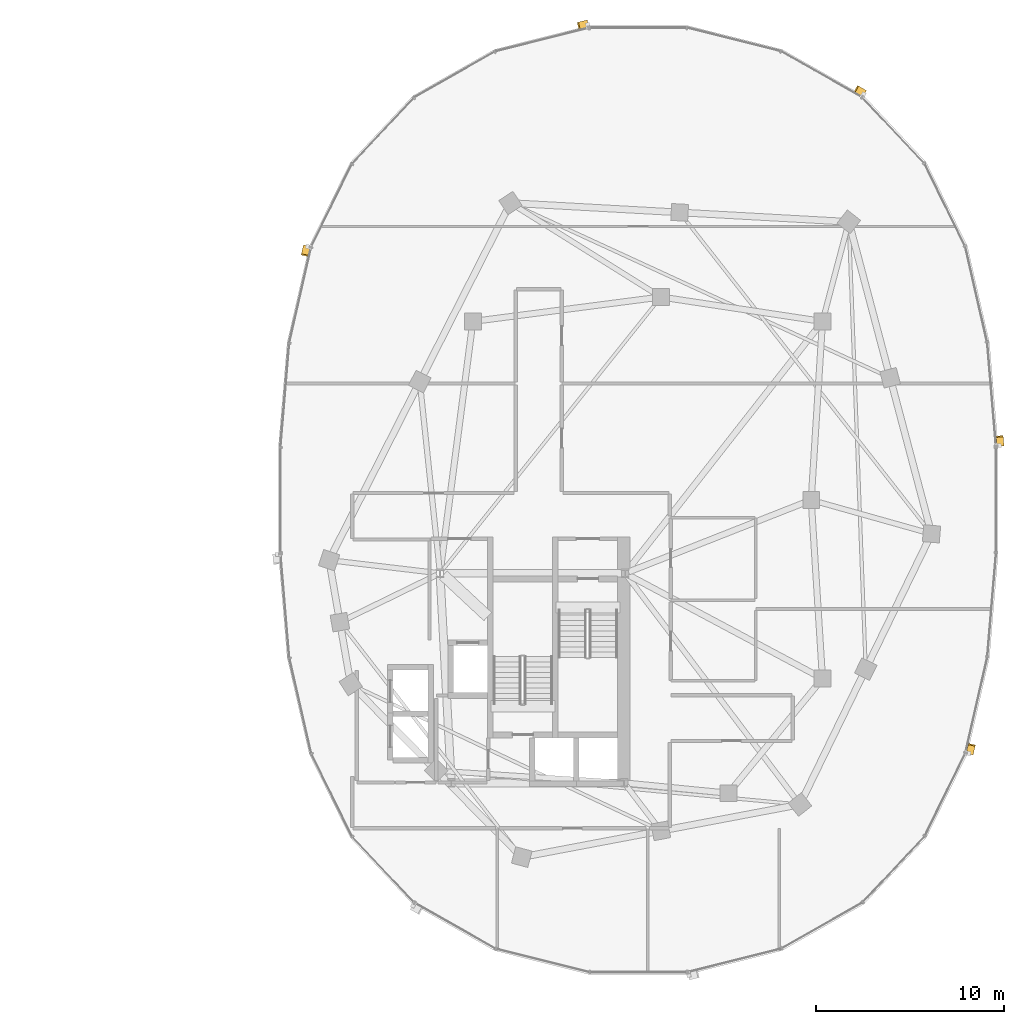
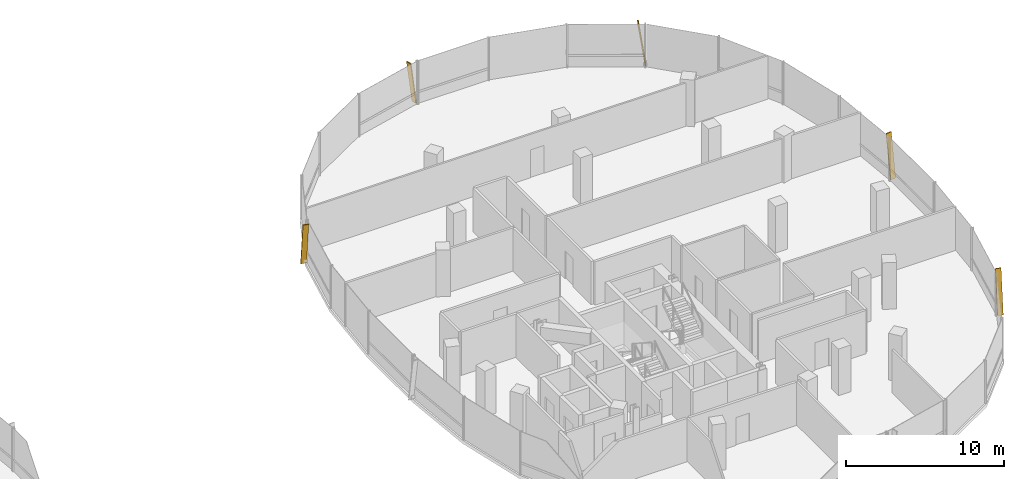
# One storey, part 25 of 25: 5 shading devices.
"""IFC4 building model written with IfcOpenShell, lengths in metres."""

from ifc_helpers import new_model, si_unit, direction, frame, origin, origin_2d, place, context, subcontext, project, spatial, rectangle, extrude, material, material_profile, profile_set, type_object, element, save


model = new_model("IFC4")

# Units and contexts
model_context = context("Model", 3, precision=1e-05, world=origin(), true_north=direction((0.0, 1.0)))
body_context = subcontext(model_context, "Body", "Model", "MODEL_VIEW")
ifc_project = project(units=[si_unit("LENGTHUNIT", "METRE"), si_unit("AREAUNIT", "SQUARE_METRE"), si_unit("VOLUMEUNIT", "CUBIC_METRE"), si_unit("PLANEANGLEUNIT", "RADIAN"), si_unit("MASSUNIT", "GRAM", prefix="KILO"), si_unit("THERMODYNAMICTEMPERATUREUNIT", "KELVIN"), si_unit("POWERUNIT", "WATT")], contexts=[model_context])

# Site, building, storey
site_placement = place(None, origin())
site = spatial("IfcSite", under=ifc_project, at=site_placement, CompositionType="ELEMENT")
building_placement = place(site_placement, origin())
building = spatial("IfcBuilding", under=site, at=building_placement, Name="Cundina Bronze Exchange", CompositionType="ELEMENT")
storey_placement = place(building_placement, frame((0.0, 0.0, 220.60009765625)))
storey = spatial("IfcBuildingStorey", under=building, at=storey_placement, Name="L58", CompositionType="ELEMENT", Elevation=220.60009765625)

# Shading devices
ifc_material = material(Name="Anodised Bronze Aluminium 6063-T6", Category="aluminium")
ifc_material_profile = material_profile(ifc_material, rectangle(XDim=0.070068359375, YDim=0.3798828125, at=origin_2d()), Name="FIN70X380", Category="aluminium")
ifc_profile_set = profile_set([ifc_material_profile], Name="Anodised Bronze Aluminium 6063-T6")
shading_device_type = type_object("IfcShadingDeviceType", Name="SHD-FIN-BRZ380", PredefinedType="USERDEFINED", material=ifc_profile_set)
for number, where, z_axis, x_axis, name in (
    (1, (51.264404296875, 2.90283203125, 0.02001953125), (-0.012007425696, 0.143430164259, 0.989587595774), (0.082555708425, -0.986138004904, 0.143931894628), "L58 Diagonal Bronze Solar Fin 1"),
    (2, (44.015625, 21.635498046875, 0.02001953125), (-0.125198584402, 0.071092295587, 0.989581325598), (0.86052566695, -0.48863767404, 0.143974997927), "L58 Diagonal Bronze Solar Fin 5"),
    (3, (29.294189453125, 25.344482421875, 0.02001953125), (-0.139622006633, -0.035143452115, 0.989581039146), (0.959648570899, 0.241547621411, 0.143976966779), "L58 Diagonal Bronze Solar Fin 1"),
    (4, (14.363037109375, 13.4931640625, 0.02001953125), (-0.032141567252, -0.140353950846, 0.989579551192), (0.220899074037, 0.964609396194, 0.143987193401), "L58 Diagonal Bronze Solar Fin 5"),
    (5, (49.636962890625, -13.4931640625, 0.02001953125), (0.032141567252, 0.140353950846, 0.989579551192), (-0.220899074037, -0.964609396194, 0.143987193401), "L58 Diagonal Bronze Solar Fin 5"),
):
    element("IfcShadingDevice", number, at=place(storey_placement, frame(where, z_axis=z_axis, x_axis=x_axis)), inside=storey, type_object=shading_device_type, Name=name, ObjectType="FIN", PredefinedType="USERDEFINED", context=body_context, shape_type="SweptSolid", body=[
        extrude(rectangle(XDim=0.070068359375, YDim=0.3798828125, at=origin_2d()), origin(), (0.0, 0.0, 1.0), 3.33447265625),
    ])

save(model, "model.ifc")
